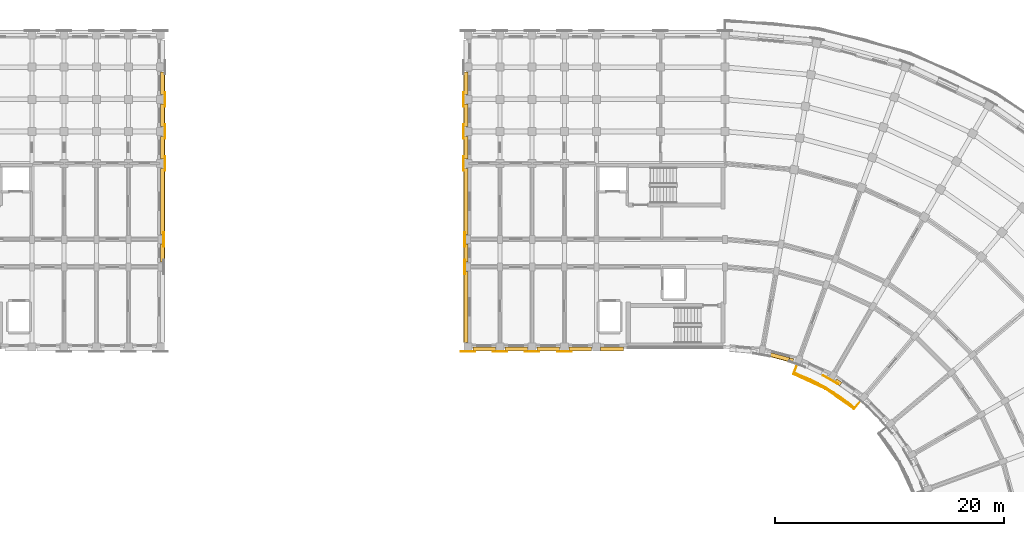
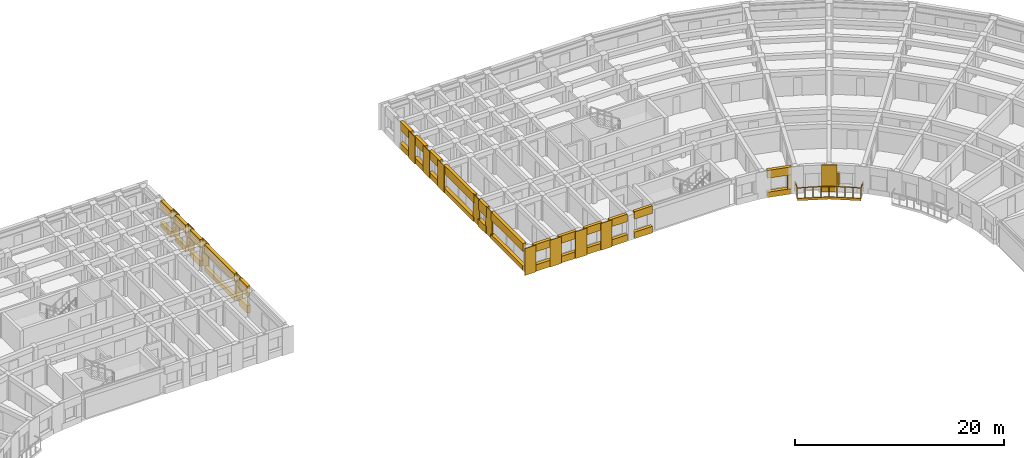
# One storey, part 50 of 57: 51 coverings, 1 railing.
"""IFC4 building model written with IfcOpenShell, lengths in metres."""

from ifc_helpers import new_model, si_unit, direction, frame, origin, origin_2d, place, context, subcontext, project, spatial, polyline, circle, outline, extrude, material, layer, layer_set, type_object, element, save


model = new_model("IFC4")

# Units and contexts
model_context = context("Model", 3, precision=1e-05, world=origin(), true_north=direction((0.0, 1.0)))
body_context = subcontext(model_context, "Body", "Model", "MODEL_VIEW")
ifc_project = project(units=[si_unit("LENGTHUNIT", "METRE"), si_unit("AREAUNIT", "SQUARE_METRE"), si_unit("VOLUMEUNIT", "CUBIC_METRE"), si_unit("PLANEANGLEUNIT", "RADIAN"), si_unit("MASSUNIT", "GRAM", prefix="KILO")], contexts=[model_context])

# Site, building, storey
site_placement = place(None, origin())
site = spatial("IfcSite", under=ifc_project, at=site_placement, CompositionType="ELEMENT")
building_placement = place(site_placement, origin())
building = spatial("IfcBuilding", under=site, at=building_placement, Name="Kiranvali Square Residences", CompositionType="ELEMENT")
storey_placement = place(building_placement, frame((0.0, 0.0, 18.14990234375)))
storey = spatial("IfcBuildingStorey", under=building, at=storey_placement, Name="L05", CompositionType="ELEMENT", Elevation=18.14990234375)

# Coverings
ifc_material_1 = material(Name="Carved Porbandar limestone classical entablature and cornice", Category="masonry")
ifc_layer_1 = layer(ifc_material_1, 0.06201171875)
ifc_layer_set_1 = layer_set([ifc_layer_1], Name="Carved Porbandar limestone classical entablature and cornice")
covering_type_1 = type_object("IfcCoveringType", Name="COV-CLAD-GBAL", PredefinedType="CLADDING", material=ifc_layer_set_1)
covering_1_placement = place(storey_placement, frame((0.0, 0.0, -0.219970703125)))
element("IfcCovering", 1, at=covering_1_placement, inside=storey, type_object=covering_type_1, Name="Block B L05 garden balcony limestone fascia 1", PredefinedType="CLADDING", context=body_context, shape_type="SweptSolid", body=[
    extrude(outline(polyline([(125.778564453125, 104.225830078125), (128.5400390625, 102.938232421875), (131.035888671875, 101.1904296875), (131.07958984375, 101.242431640625), (128.573974609375, 102.9970703125), (125.8017578125, 104.289794921875), (125.778564453125, 104.225830078125)])), origin(), (0.0, 0.0, 1.0), 0.27001953125),
])
ifc_material_2 = material(Name="Honed Porbandar limestone ashlar facade cladding", Category="masonry")
ifc_layer_2 = layer(ifc_material_2, 0.3798828125)
ifc_layer_set_2 = layer_set([ifc_layer_2], Name="Honed Porbandar limestone ashlar facade cladding")
covering_type_2 = type_object("IfcCoveringType", Name="COV-CLAD-JAMB", PredefinedType="CLADDING", material=ifc_layer_set_2)
covering_2_placement = place(storey_placement, frame((0.0, 0.0, 0.6220703125)))
element("IfcCovering", 2, at=covering_2_placement, inside=storey, type_object=covering_type_2, Name="L05 deep limestone window jamb reveal B-L05-GDN-01.R", PredefinedType="CLADDING", context=body_context, shape_type="SweptSolid", body=[
    extrude(outline(polyline([(125.356201171875, 105.348388671875), (125.717041015625, 105.251708984375), (125.804931640625, 105.57958984375), (125.444091796875, 105.67626953125), (125.356201171875, 105.348388671875)])), origin(), (0.0, 0.0, 1.0), 1.60009765625),
])
covering_3_placement = place(storey_placement, frame((0.0, 0.0, 0.72216796875)))
element("IfcCovering", 3, at=covering_3_placement, inside=storey, type_object=covering_type_2, Name="L05 deep limestone window jamb reveal B-L05-GDN-03.L", PredefinedType="CLADDING", context=body_context, shape_type="SweptSolid", body=[
    extrude(outline(polyline([(129.365478515625, 103.55029296875), (129.814697265625, 103.23583984375), (130.009521484375, 103.513916015625), (129.56005859375, 103.828369140625), (129.365478515625, 103.55029296875)])), origin(), (0.0, 0.0, 1.0), 1.5),
])
ifc_layer_3 = layer(ifc_material_2, 0.050048828125)
ifc_layer_set_3 = layer_set([ifc_layer_3], Name="Honed Porbandar limestone ashlar facade cladding")
covering_type_3 = type_object("IfcCoveringType", Name="COV-CLAD-PIER-IN", PredefinedType="CLADDING", material=ifc_layer_set_3)
covering_4_placement = place(storey_placement, frame((0.0, 0.0, 0.005126953125)))
element("IfcCovering", 4, at=covering_4_placement, inside=storey, type_object=covering_type_3, Name="L05 Classical garden courtyard pilaster CLAD-PRIN-B-L05-A03", PredefinedType="CLADDING", context=body_context, shape_type="SweptSolid", body=[
    extrude(outline(polyline([(128.341552734375, 104.09423828125), (129.640625, 103.34423828125), (129.67431640625, 103.40283203125), (128.375244140625, 104.15283203125), (128.341552734375, 104.09423828125)])), origin(), (0.0, 0.0, 1.0), 3.139892578125),
])
covering_5_placement = place(storey_placement, frame((0.0, 0.0, 0.005126953125)))
element("IfcCovering", 5, at=covering_5_placement, inside=storey, type_object=covering_type_3, Name="L05 Classical limestone pilaster casing CLAD-PRA1I-B-L05-U140", PredefinedType="CLADDING", context=body_context, shape_type="SweptSolid", body=[
    extrude(outline(polyline([(106.429931640625, 106.24951171875), (105.169921875, 106.24951171875), (105.169921875, 106.181884765625), (106.429931640625, 106.181884765625), (106.429931640625, 106.24951171875)])), origin(), (0.0, 0.0, 1.0), 3.139892578125),
])
covering_6_placement = place(storey_placement, frame((0.0, 0.0, 0.005126953125)))
element("IfcCovering", 6, at=covering_6_placement, inside=storey, type_object=covering_type_3, Name="L05 Classical limestone pilaster casing CLAD-PRA1I-B-L05-U167", PredefinedType="CLADDING", context=body_context, shape_type="SweptSolid", body=[
    extrude(outline(polyline([(103.6298828125, 106.24951171875), (102.3701171875, 106.24951171875), (102.3701171875, 106.181884765625), (103.6298828125, 106.181884765625), (103.6298828125, 106.24951171875)])), origin(), (0.0, 0.0, 1.0), 3.139892578125),
])
covering_7_placement = place(storey_placement, frame((0.0, 0.0, 0.005126953125)))
element("IfcCovering", 7, at=covering_7_placement, inside=storey, type_object=covering_type_3, Name="L05 Classical limestone pilaster casing CLAD-PRA1I-B-L05-U195", PredefinedType="CLADDING", context=body_context, shape_type="SweptSolid", body=[
    extrude(outline(polyline([(100.830078125, 106.24951171875), (99.570068359375, 106.24951171875), (99.570068359375, 106.181884765625), (100.830078125, 106.181884765625), (100.830078125, 106.24951171875)])), origin(), (0.0, 0.0, 1.0), 3.139892578125),
])
covering_8_placement = place(storey_placement, frame((0.0, 0.0, 0.005126953125)))
element("IfcCovering", 8, at=covering_8_placement, inside=storey, type_object=covering_type_3, Name="L05 Classical limestone pilaster casing CLAD-PRA1I-B-L05-U224", PredefinedType="CLADDING", context=body_context, shape_type="SweptSolid", body=[
    extrude(outline(polyline([(98.030029296875, 106.24951171875), (96.77001953125, 106.24951171875), (96.77001953125, 106.181884765625), (98.030029296875, 106.181884765625), (98.030029296875, 106.24951171875)])), origin(), (0.0, 0.0, 1.0), 3.139892578125),
])
ifc_layer_4 = layer(ifc_material_2, 0.054931640625)
ifc_layer_set_4 = layer_set([ifc_layer_4], Name="Honed Porbandar limestone ashlar facade cladding")
covering_type_4 = type_object("IfcCoveringType", Name="COV-CLAD-PIER-UP", PredefinedType="CLADDING", material=ifc_layer_set_4)
covering_9_placement = place(storey_placement, frame((0.0, 0.0, 0.005126953125)))
element("IfcCovering", 9, at=covering_9_placement, inside=storey, type_object=covering_type_4, Name="L05 Classical limestone pilaster casing CLAD-PRA1E-A-L05-R282", PredefinedType="CLADDING", context=body_context, shape_type="SweptSolid", body=[
    extrude(outline(polyline([(70.91796875, 115.3701171875), (70.91796875, 116.6298828125), (70.8505859375, 116.6298828125), (70.8505859375, 115.3701171875), (70.91796875, 115.3701171875)])), origin(), (0.0, 0.0, 1.0), 3.139892578125),
])
covering_10_placement = place(storey_placement, frame((0.0, 0.0, 0.005126953125)))
element("IfcCovering", 10, at=covering_10_placement, inside=storey, type_object=covering_type_4, Name="L05 Classical limestone pilaster casing CLAD-PRA1E-A-L05-R348", PredefinedType="CLADDING", context=body_context, shape_type="SweptSolid", body=[
    extrude(outline(polyline([(71.01806640625, 121.969970703125), (71.01806640625, 123.22998046875), (70.950439453125, 123.22998046875), (70.950439453125, 121.969970703125), (71.01806640625, 121.969970703125)])), origin(), (0.0, 0.0, 1.0), 3.139892578125),
])
covering_11_placement = place(storey_placement, frame((0.0, 0.0, 0.005126953125)))
element("IfcCovering", 11, at=covering_11_placement, inside=storey, type_object=covering_type_4, Name="L05 Classical limestone pilaster casing CLAD-PRA1E-A-L05-R376", PredefinedType="CLADDING", context=body_context, shape_type="SweptSolid", body=[
    extrude(outline(polyline([(71.01806640625, 124.77001953125), (71.01806640625, 126.030029296875), (70.950439453125, 126.030029296875), (70.950439453125, 124.77001953125), (71.01806640625, 124.77001953125)])), origin(), (0.0, 0.0, 1.0), 3.139892578125),
])
covering_12_placement = place(storey_placement, frame((0.0, 0.0, 0.005126953125)))
element("IfcCovering", 12, at=covering_12_placement, inside=storey, type_object=covering_type_4, Name="L05 Classical limestone pilaster casing CLAD-PRA1E-A-L05-R404", PredefinedType="CLADDING", context=body_context, shape_type="SweptSolid", body=[
    extrude(outline(polyline([(71.01806640625, 127.570068359375), (71.01806640625, 128.830078125), (70.950439453125, 128.830078125), (70.950439453125, 127.570068359375), (71.01806640625, 127.570068359375)])), origin(), (0.0, 0.0, 1.0), 3.139892578125),
])
covering_13_placement = place(storey_placement, frame((0.0, 0.0, 0.005126953125)))
element("IfcCovering", 13, at=covering_13_placement, inside=storey, type_object=covering_type_4, Name="L05 Classical limestone pilaster casing CLAD-PRA1E-B-L05-R258", PredefinedType="CLADDING", context=body_context, shape_type="SweptSolid", body=[
    extrude(outline(polyline([(97.1494140625, 112.969970703125), (97.1494140625, 114.22998046875), (97.08203125, 114.22998046875), (97.08203125, 112.969970703125), (97.1494140625, 112.969970703125)])), origin(), (0.0, 0.0, 1.0), 3.139892578125),
])
covering_14_placement = place(storey_placement, frame((0.0, 0.0, 0.005126953125)))
element("IfcCovering", 14, at=covering_14_placement, inside=storey, type_object=covering_type_4, Name="L05 Classical limestone pilaster casing CLAD-PRA1E-B-L05-R282", PredefinedType="CLADDING", context=body_context, shape_type="SweptSolid", body=[
    extrude(outline(polyline([(97.1494140625, 115.3701171875), (97.1494140625, 116.6298828125), (97.08203125, 116.6298828125), (97.08203125, 115.3701171875), (97.1494140625, 115.3701171875)])), origin(), (0.0, 0.0, 1.0), 3.139892578125),
])
covering_15_placement = place(storey_placement, frame((0.0, 0.0, 0.005126953125)))
element("IfcCovering", 15, at=covering_15_placement, inside=storey, type_object=covering_type_4, Name="L05 Classical limestone pilaster casing CLAD-PRA1E-B-L05-R348", PredefinedType="CLADDING", context=body_context, shape_type="SweptSolid", body=[
    extrude(outline(polyline([(97.049560546875, 121.969970703125), (97.049560546875, 123.22998046875), (96.98193359375, 123.22998046875), (96.98193359375, 121.969970703125), (97.049560546875, 121.969970703125)])), origin(), (0.0, 0.0, 1.0), 3.139892578125),
])
covering_16_placement = place(storey_placement, frame((0.0, 0.0, 0.005126953125)))
element("IfcCovering", 16, at=covering_16_placement, inside=storey, type_object=covering_type_4, Name="L05 Classical limestone pilaster casing CLAD-PRA1E-B-L05-R376", PredefinedType="CLADDING", context=body_context, shape_type="SweptSolid", body=[
    extrude(outline(polyline([(97.049560546875, 124.77001953125), (97.049560546875, 126.030029296875), (96.98193359375, 126.030029296875), (96.98193359375, 124.77001953125), (97.049560546875, 124.77001953125)])), origin(), (0.0, 0.0, 1.0), 3.139892578125),
])
covering_17_placement = place(storey_placement, frame((0.0, 0.0, 0.005126953125)))
element("IfcCovering", 17, at=covering_17_placement, inside=storey, type_object=covering_type_4, Name="L05 Classical limestone pilaster casing CLAD-PRA1E-B-L05-R404", PredefinedType="CLADDING", context=body_context, shape_type="SweptSolid", body=[
    extrude(outline(polyline([(97.049560546875, 127.570068359375), (97.049560546875, 128.830078125), (96.98193359375, 128.830078125), (96.98193359375, 127.570068359375), (97.049560546875, 127.570068359375)])), origin(), (0.0, 0.0, 1.0), 3.139892578125),
])
ifc_layer_5 = layer(ifc_material_2, 0.360107421875)
ifc_layer_set_5 = layer_set([ifc_layer_5], Name="Honed Porbandar limestone ashlar facade cladding")
covering_type_5 = type_object("IfcCoveringType", Name="COV-CLAD-WALL", PredefinedType="CLADDING", material=ifc_layer_set_5)
covering_18_placement = place(storey_placement, frame((0.0, 0.0, 1.93017578125)))
element("IfcCovering", 18, at=covering_18_placement, inside=storey, type_object=covering_type_5, Name="L05 light limestone spandrel lintel A-L05-A1END-1", PredefinedType="CLADDING", context=body_context, shape_type="SweptSolid", body=[
    extrude(outline(polyline([(70.93994140625, 114.02001953125), (70.93994140625, 115.580078125), (70.6005859375, 115.580078125), (70.6005859375, 114.02001953125), (70.93994140625, 114.02001953125)])), origin(), (0.0, 0.0, 1.0), 1.21484375),
])
covering_19_placement = place(storey_placement, frame((0.0, 0.0, 0.005126953125)))
element("IfcCovering", 19, at=covering_19_placement, inside=storey, type_object=covering_type_5, Name="L05 limestone window sill apron A-L05-A1END-1", PredefinedType="CLADDING", context=body_context, shape_type="SweptSolid", body=[
    extrude(outline(polyline([(70.969970703125, 114.02001953125), (70.969970703125, 115.580078125), (70.6005859375, 115.580078125), (70.6005859375, 114.02001953125), (70.969970703125, 114.02001953125)])), origin(), (0.0, 0.0, 1.0), 0.875),
])
covering_20_placement = place(storey_placement, frame((0.0, 0.0, 2.172119140625)))
element("IfcCovering", 20, at=covering_20_placement, inside=storey, type_object=covering_type_5, Name="L05 light limestone spandrel lintel A-L05-A1END-2", PredefinedType="CLADDING", context=body_context, shape_type="SweptSolid", body=[
    extrude(outline(polyline([(70.93994140625, 116.419921875), (70.93994140625, 122.179931640625), (70.6005859375, 122.179931640625), (70.6005859375, 116.419921875), (70.93994140625, 116.419921875)])), origin(), (0.0, 0.0, 1.0), 0.972900390625),
])
covering_21_placement = place(storey_placement, frame((0.0, 0.0, 0.005126953125)))
element("IfcCovering", 21, at=covering_21_placement, inside=storey, type_object=covering_type_5, Name="L05 limestone window sill apron A-L05-A1END-2", PredefinedType="CLADDING", context=body_context, shape_type="SweptSolid", body=[
    extrude(outline(polyline([(70.969970703125, 116.419921875), (70.969970703125, 122.179931640625), (70.6005859375, 122.179931640625), (70.6005859375, 116.419921875), (70.969970703125, 116.419921875)])), origin(), (0.0, 0.0, 1.0), 0.51708984375),
])
covering_22_placement = place(storey_placement, frame((0.0, 0.0, 2.172119140625)))
element("IfcCovering", 22, at=covering_22_placement, inside=storey, type_object=covering_type_5, Name="L05 light limestone spandrel lintel A-L05-A1END-3", PredefinedType="CLADDING", context=body_context, shape_type="SweptSolid", body=[
    extrude(outline(polyline([(70.93994140625, 123.02001953125), (70.93994140625, 124.97998046875), (70.6005859375, 124.97998046875), (70.6005859375, 123.02001953125), (70.93994140625, 123.02001953125)])), origin(), (0.0, 0.0, 1.0), 0.972900390625),
])
covering_23_placement = place(storey_placement, frame((0.0, 0.0, 0.005126953125)))
element("IfcCovering", 23, at=covering_23_placement, inside=storey, type_object=covering_type_5, Name="L05 limestone window sill apron A-L05-A1END-3", PredefinedType="CLADDING", context=body_context, shape_type="SweptSolid", body=[
    extrude(outline(polyline([(70.969970703125, 123.02001953125), (70.969970703125, 124.97998046875), (70.6005859375, 124.97998046875), (70.6005859375, 123.02001953125), (70.969970703125, 123.02001953125)])), origin(), (0.0, 0.0, 1.0), 0.6669921875),
])
covering_24_placement = place(storey_placement, frame((0.0, 0.0, 2.172119140625)))
element("IfcCovering", 24, at=covering_24_placement, inside=storey, type_object=covering_type_5, Name="L05 light limestone spandrel lintel A-L05-A1END-4", PredefinedType="CLADDING", context=body_context, shape_type="SweptSolid", body=[
    extrude(outline(polyline([(70.93994140625, 125.820068359375), (70.93994140625, 127.780029296875), (70.6005859375, 127.780029296875), (70.6005859375, 125.820068359375), (70.93994140625, 125.820068359375)])), origin(), (0.0, 0.0, 1.0), 0.972900390625),
])
covering_25_placement = place(storey_placement, frame((0.0, 0.0, 0.005126953125)))
element("IfcCovering", 25, at=covering_25_placement, inside=storey, type_object=covering_type_5, Name="L05 limestone window sill apron A-L05-A1END-4", PredefinedType="CLADDING", context=body_context, shape_type="SweptSolid", body=[
    extrude(outline(polyline([(70.969970703125, 125.820068359375), (70.969970703125, 127.780029296875), (70.6005859375, 127.780029296875), (70.6005859375, 125.820068359375), (70.969970703125, 125.820068359375)])), origin(), (0.0, 0.0, 1.0), 0.6669921875),
])
covering_26_placement = place(storey_placement, frame((0.0, 0.0, 2.172119140625)))
element("IfcCovering", 26, at=covering_26_placement, inside=storey, type_object=covering_type_5, Name="L05 light limestone spandrel lintel A-L05-A1END-5", PredefinedType="CLADDING", context=body_context, shape_type="SweptSolid", body=[
    extrude(outline(polyline([(70.93994140625, 128.6201171875), (70.93994140625, 130.580078125), (70.6005859375, 130.580078125), (70.6005859375, 128.6201171875), (70.93994140625, 128.6201171875)])), origin(), (0.0, 0.0, 1.0), 0.972900390625),
])
covering_27_placement = place(storey_placement, frame((0.0, 0.0, 0.005126953125)))
element("IfcCovering", 27, at=covering_27_placement, inside=storey, type_object=covering_type_5, Name="L05 limestone window sill apron A-L05-A1END-5", PredefinedType="CLADDING", context=body_context, shape_type="SweptSolid", body=[
    extrude(outline(polyline([(70.969970703125, 128.6201171875), (70.969970703125, 130.580078125), (70.6005859375, 130.580078125), (70.6005859375, 128.6201171875), (70.969970703125, 128.6201171875)])), origin(), (0.0, 0.0, 1.0), 0.6669921875),
])
covering_28_placement = place(storey_placement, frame((0.0, 0.0, 2.22216796875)))
element("IfcCovering", 28, at=covering_28_placement, inside=storey, type_object=covering_type_5, Name="L05 light limestone spandrel lintel B-L05-GDN-01", PredefinedType="CLADDING", context=body_context, shape_type="SweptSolid", body=[
    extrude(outline(polyline([(123.401611328125, 105.8720703125), (125.717041015625, 105.251708984375), (125.804931640625, 105.57958984375), (123.489501953125, 106.199951171875), (123.401611328125, 105.8720703125)])), origin(), (0.0, 0.0, 1.0), 0.9228515625),
])
covering_29_placement = place(storey_placement, frame((0.0, 0.0, 2.272216796875)))
element("IfcCovering", 29, at=covering_29_placement, inside=storey, type_object=covering_type_5, Name="L05 light limestone spandrel lintel B-L05-A1IN-0", PredefinedType="CLADDING", context=body_context, shape_type="SweptSolid", body=[
    extrude(outline(polyline([(110.949951171875, 106.599609375), (108.949951171875, 106.599609375), (108.949951171875, 106.280029296875), (110.949951171875, 106.280029296875), (110.949951171875, 106.599609375)])), origin(), (0.0, 0.0, 1.0), 0.872802734375),
])
covering_30_placement = place(storey_placement, frame((0.0, 0.0, 0.005126953125)))
element("IfcCovering", 30, at=covering_30_placement, inside=storey, type_object=covering_type_5, Name="L05 limestone window sill apron B-L05-A1IN-0", PredefinedType="CLADDING", context=body_context, shape_type="SweptSolid", body=[
    extrude(outline(polyline([(110.949951171875, 106.599609375), (108.949951171875, 106.599609375), (108.949951171875, 106.25), (110.949951171875, 106.25), (110.949951171875, 106.599609375)])), origin(), (0.0, 0.0, 1.0), 0.76708984375),
])
covering_31_placement = place(storey_placement, frame((0.0, 0.0, 2.272216796875)))
element("IfcCovering", 31, at=covering_31_placement, inside=storey, type_object=covering_type_5, Name="L05 light limestone spandrel lintel B-L05-A1I-0", PredefinedType="CLADDING", context=body_context, shape_type="SweptSolid", body=[
    extrude(outline(polyline([(108.179931640625, 106.599609375), (106.219970703125, 106.599609375), (106.219970703125, 106.280029296875), (108.179931640625, 106.280029296875), (108.179931640625, 106.599609375)])), origin(), (0.0, 0.0, 1.0), 0.872802734375),
])
covering_32_placement = place(storey_placement, frame((0.0, 0.0, 0.005126953125)))
element("IfcCovering", 32, at=covering_32_placement, inside=storey, type_object=covering_type_5, Name="L05 limestone window sill apron B-L05-A1I-0", PredefinedType="CLADDING", context=body_context, shape_type="SweptSolid", body=[
    extrude(outline(polyline([(108.179931640625, 106.599609375), (106.219970703125, 106.599609375), (106.219970703125, 106.25), (108.179931640625, 106.25), (108.179931640625, 106.599609375)])), origin(), (0.0, 0.0, 1.0), 0.76708984375),
])
covering_33_placement = place(storey_placement, frame((0.0, 0.0, 2.272216796875)))
element("IfcCovering", 33, at=covering_33_placement, inside=storey, type_object=covering_type_5, Name="L05 light limestone spandrel lintel B-L05-A1I-1", PredefinedType="CLADDING", context=body_context, shape_type="SweptSolid", body=[
    extrude(outline(polyline([(105.3798828125, 106.599609375), (103.419921875, 106.599609375), (103.419921875, 106.280029296875), (105.3798828125, 106.280029296875), (105.3798828125, 106.599609375)])), origin(), (0.0, 0.0, 1.0), 0.872802734375),
])
covering_34_placement = place(storey_placement, frame((0.0, 0.0, 0.005126953125)))
element("IfcCovering", 34, at=covering_34_placement, inside=storey, type_object=covering_type_5, Name="L05 limestone window sill apron B-L05-A1I-1", PredefinedType="CLADDING", context=body_context, shape_type="SweptSolid", body=[
    extrude(outline(polyline([(105.3798828125, 106.599609375), (103.419921875, 106.599609375), (103.419921875, 106.25), (105.3798828125, 106.25), (105.3798828125, 106.599609375)])), origin(), (0.0, 0.0, 1.0), 0.76708984375),
])
covering_35_placement = place(storey_placement, frame((0.0, 0.0, 2.272216796875)))
element("IfcCovering", 35, at=covering_35_placement, inside=storey, type_object=covering_type_5, Name="L05 light limestone spandrel lintel B-L05-A1I-2", PredefinedType="CLADDING", context=body_context, shape_type="SweptSolid", body=[
    extrude(outline(polyline([(102.580078125, 106.599609375), (100.6201171875, 106.599609375), (100.6201171875, 106.280029296875), (102.580078125, 106.280029296875), (102.580078125, 106.599609375)])), origin(), (0.0, 0.0, 1.0), 0.872802734375),
])
covering_36_placement = place(storey_placement, frame((0.0, 0.0, 0.005126953125)))
element("IfcCovering", 36, at=covering_36_placement, inside=storey, type_object=covering_type_5, Name="L05 limestone window sill apron B-L05-A1I-2", PredefinedType="CLADDING", context=body_context, shape_type="SweptSolid", body=[
    extrude(outline(polyline([(102.580078125, 106.599609375), (100.6201171875, 106.599609375), (100.6201171875, 106.25), (102.580078125, 106.25), (102.580078125, 106.599609375)])), origin(), (0.0, 0.0, 1.0), 0.76708984375),
])
covering_37_placement = place(storey_placement, frame((0.0, 0.0, 2.272216796875)))
element("IfcCovering", 37, at=covering_37_placement, inside=storey, type_object=covering_type_5, Name="L05 light limestone spandrel lintel B-L05-A1I-3", PredefinedType="CLADDING", context=body_context, shape_type="SweptSolid", body=[
    extrude(outline(polyline([(99.780029296875, 106.599609375), (97.820068359375, 106.599609375), (97.820068359375, 106.280029296875), (99.780029296875, 106.280029296875), (99.780029296875, 106.599609375)])), origin(), (0.0, 0.0, 1.0), 0.872802734375),
])
covering_38_placement = place(storey_placement, frame((0.0, 0.0, 0.005126953125)))
element("IfcCovering", 38, at=covering_38_placement, inside=storey, type_object=covering_type_5, Name="L05 limestone window sill apron B-L05-A1I-3", PredefinedType="CLADDING", context=body_context, shape_type="SweptSolid", body=[
    extrude(outline(polyline([(99.780029296875, 106.599609375), (97.820068359375, 106.599609375), (97.820068359375, 106.25), (99.780029296875, 106.25), (99.780029296875, 106.599609375)])), origin(), (0.0, 0.0, 1.0), 0.76708984375),
])
covering_39_placement = place(storey_placement, frame((0.0, 0.0, 2.172119140625)))
element("IfcCovering", 39, at=covering_39_placement, inside=storey, type_object=covering_type_5, Name="L05 light limestone spandrel lintel B-L05-A1END-0", PredefinedType="CLADDING", context=body_context, shape_type="SweptSolid", body=[
    extrude(outline(polyline([(97.3994140625, 107.02001953125), (97.3994140625, 113.179931640625), (97.06005859375, 113.179931640625), (97.06005859375, 107.02001953125), (97.3994140625, 107.02001953125)])), origin(), (0.0, 0.0, 1.0), 0.972900390625),
])
covering_40_placement = place(storey_placement, frame((0.0, 0.0, 0.005126953125)))
element("IfcCovering", 40, at=covering_40_placement, inside=storey, type_object=covering_type_5, Name="L05 limestone window sill apron B-L05-A1END-0", PredefinedType="CLADDING", context=body_context, shape_type="SweptSolid", body=[
    extrude(outline(polyline([(97.3994140625, 107.02001953125), (97.3994140625, 113.179931640625), (97.030029296875, 113.179931640625), (97.030029296875, 107.02001953125), (97.3994140625, 107.02001953125)])), origin(), (0.0, 0.0, 1.0), 0.51708984375),
])
covering_41_placement = place(storey_placement, frame((0.0, 0.0, 1.93017578125)))
element("IfcCovering", 41, at=covering_41_placement, inside=storey, type_object=covering_type_5, Name="L05 light limestone spandrel lintel B-L05-A1END-1", PredefinedType="CLADDING", context=body_context, shape_type="SweptSolid", body=[
    extrude(outline(polyline([(97.3994140625, 114.02001953125), (97.3994140625, 115.580078125), (97.06005859375, 115.580078125), (97.06005859375, 114.02001953125), (97.3994140625, 114.02001953125)])), origin(), (0.0, 0.0, 1.0), 1.21484375),
])
covering_42_placement = place(storey_placement, frame((0.0, 0.0, 0.005126953125)))
element("IfcCovering", 42, at=covering_42_placement, inside=storey, type_object=covering_type_5, Name="L05 limestone window sill apron B-L05-A1END-1", PredefinedType="CLADDING", context=body_context, shape_type="SweptSolid", body=[
    extrude(outline(polyline([(97.3994140625, 114.02001953125), (97.3994140625, 115.580078125), (97.030029296875, 115.580078125), (97.030029296875, 114.02001953125), (97.3994140625, 114.02001953125)])), origin(), (0.0, 0.0, 1.0), 0.875),
])
covering_43_placement = place(storey_placement, frame((0.0, 0.0, 2.172119140625)))
element("IfcCovering", 43, at=covering_43_placement, inside=storey, type_object=covering_type_5, Name="L05 light limestone spandrel lintel B-L05-A1END-2", PredefinedType="CLADDING", context=body_context, shape_type="SweptSolid", body=[
    extrude(outline(polyline([(97.3994140625, 116.419921875), (97.3994140625, 122.179931640625), (97.06005859375, 122.179931640625), (97.06005859375, 116.419921875), (97.3994140625, 116.419921875)])), origin(), (0.0, 0.0, 1.0), 0.972900390625),
])
covering_44_placement = place(storey_placement, frame((0.0, 0.0, 0.005126953125)))
element("IfcCovering", 44, at=covering_44_placement, inside=storey, type_object=covering_type_5, Name="L05 limestone window sill apron B-L05-A1END-2", PredefinedType="CLADDING", context=body_context, shape_type="SweptSolid", body=[
    extrude(outline(polyline([(97.3994140625, 116.419921875), (97.3994140625, 122.179931640625), (97.030029296875, 122.179931640625), (97.030029296875, 116.419921875), (97.3994140625, 116.419921875)])), origin(), (0.0, 0.0, 1.0), 0.51708984375),
])
covering_45_placement = place(storey_placement, frame((0.0, 0.0, 2.172119140625)))
element("IfcCovering", 45, at=covering_45_placement, inside=storey, type_object=covering_type_5, Name="L05 light limestone spandrel lintel B-L05-A1END-3", PredefinedType="CLADDING", context=body_context, shape_type="SweptSolid", body=[
    extrude(outline(polyline([(97.3994140625, 123.02001953125), (97.3994140625, 124.97998046875), (97.06005859375, 124.97998046875), (97.06005859375, 123.02001953125), (97.3994140625, 123.02001953125)])), origin(), (0.0, 0.0, 1.0), 0.972900390625),
])
covering_46_placement = place(storey_placement, frame((0.0, 0.0, 0.005126953125)))
element("IfcCovering", 46, at=covering_46_placement, inside=storey, type_object=covering_type_5, Name="L05 limestone window sill apron B-L05-A1END-3", PredefinedType="CLADDING", context=body_context, shape_type="SweptSolid", body=[
    extrude(outline(polyline([(97.3994140625, 123.02001953125), (97.3994140625, 124.97998046875), (97.030029296875, 124.97998046875), (97.030029296875, 123.02001953125), (97.3994140625, 123.02001953125)])), origin(), (0.0, 0.0, 1.0), 0.6669921875),
])
covering_47_placement = place(storey_placement, frame((0.0, 0.0, 2.172119140625)))
element("IfcCovering", 47, at=covering_47_placement, inside=storey, type_object=covering_type_5, Name="L05 light limestone spandrel lintel B-L05-A1END-4", PredefinedType="CLADDING", context=body_context, shape_type="SweptSolid", body=[
    extrude(outline(polyline([(97.3994140625, 125.820068359375), (97.3994140625, 127.780029296875), (97.06005859375, 127.780029296875), (97.06005859375, 125.820068359375), (97.3994140625, 125.820068359375)])), origin(), (0.0, 0.0, 1.0), 0.972900390625),
])
covering_48_placement = place(storey_placement, frame((0.0, 0.0, 0.005126953125)))
element("IfcCovering", 48, at=covering_48_placement, inside=storey, type_object=covering_type_5, Name="L05 limestone window sill apron B-L05-A1END-4", PredefinedType="CLADDING", context=body_context, shape_type="SweptSolid", body=[
    extrude(outline(polyline([(97.3994140625, 125.820068359375), (97.3994140625, 127.780029296875), (97.030029296875, 127.780029296875), (97.030029296875, 125.820068359375), (97.3994140625, 125.820068359375)])), origin(), (0.0, 0.0, 1.0), 0.6669921875),
])
covering_49_placement = place(storey_placement, frame((0.0, 0.0, 2.172119140625)))
element("IfcCovering", 49, at=covering_49_placement, inside=storey, type_object=covering_type_5, Name="L05 light limestone spandrel lintel B-L05-A1END-5", PredefinedType="CLADDING", context=body_context, shape_type="SweptSolid", body=[
    extrude(outline(polyline([(97.3994140625, 128.6201171875), (97.3994140625, 130.580078125), (97.06005859375, 130.580078125), (97.06005859375, 128.6201171875), (97.3994140625, 128.6201171875)])), origin(), (0.0, 0.0, 1.0), 0.972900390625),
])
covering_50_placement = place(storey_placement, frame((0.0, 0.0, 0.005126953125)))
element("IfcCovering", 50, at=covering_50_placement, inside=storey, type_object=covering_type_5, Name="L05 limestone window sill apron B-L05-A1END-5", PredefinedType="CLADDING", context=body_context, shape_type="SweptSolid", body=[
    extrude(outline(polyline([(97.3994140625, 128.6201171875), (97.3994140625, 130.580078125), (97.030029296875, 130.580078125), (97.030029296875, 128.6201171875), (97.3994140625, 128.6201171875)])), origin(), (0.0, 0.0, 1.0), 0.6669921875),
])
ifc_layer_6 = layer(ifc_material_2, 0.2900390625)
ifc_layer_set_6 = layer_set([ifc_layer_6], Name="Honed Porbandar limestone ashlar facade cladding")
covering_type_6 = type_object("IfcCoveringType", Name="COV-CLAD-WALL-IN", PredefinedType="CLADDING", material=ifc_layer_set_6)
covering_51_placement = place(storey_placement, frame((0.0, 0.0, 0.005126953125)))
element("IfcCovering", 51, at=covering_51_placement, inside=storey, type_object=covering_type_6, Name="L05 limestone window sill apron B-L05-GDN-01", PredefinedType="CLADDING", context=body_context, shape_type="SweptSolid", body=[
    extrude(outline(polyline([(123.393798828125, 105.843017578125), (125.709228515625, 105.22265625), (125.804931640625, 105.57958984375), (123.489501953125, 106.199951171875), (123.393798828125, 105.843017578125)])), origin(), (0.0, 0.0, 1.0), 0.616943359375),
])

# Railing
ifc_material_3 = material(Name="Powder-coated architectural bronze balustrade", Category="steel")
railing_type = type_object("IfcRailingType", Name="RL-BAL-GOLD-1200", PredefinedType="BALUSTRADE", material=ifc_material_3)
railing_placement = place(storey_placement, frame((126.21630859375, 105.4287109375, 0.0)))
element("IfcRailing", 52, at=railing_placement, inside=storey, type_object=railing_type, Name="Block B L05 garden balcony gold balustrade 1", PredefinedType="BALUSTRADE", context=body_context, shape_type="SweptSolid", body=[
    extrude(circle(Radius=0.02392578125, at=origin_2d()), frame((0.0, 0.0, 1.17578125), z_axis=(-0.341964618562, -0.939712828289, 0.0), x_axis=(0.939712828289, -0.341964618562, 0.0)), (0.0, 0.0, 1.0), 1.150146484375),
    extrude(circle(Radius=0.02392578125, at=origin_2d()), frame((-0.393310546875, -1.080810546875, 1.17578125), z_axis=(0.923892883829, -0.382651197843, 0.0), x_axis=(0.382651197843, 0.923892883829, 0.0)), (0.0, 0.0, 1.0), 1.536376953125),
    extrude(circle(Radius=0.02392578125, at=origin_2d()), frame((1.026123046875, -1.668701171875, 1.17578125), z_axis=(0.887029366154, -0.461713009976, 0.0), x_axis=(0.461713009976, 0.887029366154, 0.0)), (0.0, 0.0, 1.0), 1.5361328125),
    extrude(circle(Radius=0.02392578125, at=origin_2d()), frame((2.388671875, -2.3779296875, 1.17578125), z_axis=(0.843386539688, -0.537307309343, 0.0), x_axis=(0.537307309343, 0.843386539688, 0.0)), (0.0, 0.0, 1.0), 1.5361328125),
    extrude(circle(Radius=0.02392578125, at=origin_2d()), frame((3.684326171875, -3.203369140625, 1.17578125), z_axis=(0.793314680996, -0.608811807471, 0.0), x_axis=(0.608811807471, 0.793314680996, 0.0)), (0.0, 0.0, 1.0), 1.536376953125),
    extrude(circle(Radius=0.02392578125, at=origin_2d()), frame((4.903076171875, -4.138671875, 1.17578125), z_axis=(0.642853454051, 0.765989188314, 0.0), x_axis=(-0.765989188314, 0.642853454051, 0.0)), (0.0, 0.0, 1.0), 1.14990234375),
    extrude(circle(Radius=0.02099609375, at=origin_2d()), origin(), (0.0, 0.0, 1.0), 1.15185546875),
    extrude(circle(Radius=0.02099609375, at=origin_2d()), frame((-0.393310546875, -1.080810546875, 0.0)), (0.0, 0.0, 1.0), 1.15185546875),
    extrude(circle(Radius=0.02099609375, at=origin_2d()), frame((0.31640625, -1.374755859375, 0.0)), (0.0, 0.0, 1.0), 1.15185546875),
    extrude(circle(Radius=0.02099609375, at=origin_2d()), frame((1.026123046875, -1.668701171875, 0.0)), (0.0, 0.0, 1.0), 1.15185546875),
    extrude(circle(Radius=0.02099609375, at=origin_2d()), frame((1.70751953125, -2.0234375, 0.0)), (0.0, 0.0, 1.0), 1.15185546875),
    extrude(circle(Radius=0.02099609375, at=origin_2d()), frame((2.388671875, -2.3779296875, 0.0)), (0.0, 0.0, 1.0), 1.15185546875),
    extrude(circle(Radius=0.02099609375, at=origin_2d()), frame((3.03662109375, -2.79052734375, 0.0)), (0.0, 0.0, 1.0), 1.15185546875),
    extrude(circle(Radius=0.02099609375, at=origin_2d()), frame((3.684326171875, -3.203369140625, 0.0)), (0.0, 0.0, 1.0), 1.15185546875),
    extrude(circle(Radius=0.02099609375, at=origin_2d()), frame((4.293701171875, -3.6708984375, 0.0)), (0.0, 0.0, 1.0), 1.15185546875),
    extrude(circle(Radius=0.02099609375, at=origin_2d()), frame((4.903076171875, -4.138671875, 0.0)), (0.0, 0.0, 1.0), 1.15185546875),
    extrude(circle(Radius=0.02099609375, at=origin_2d()), frame((5.642333984375, -3.2578125, 0.0)), (0.0, 0.0, 1.0), 1.15185546875),
])

save(model, "model.ifc")
